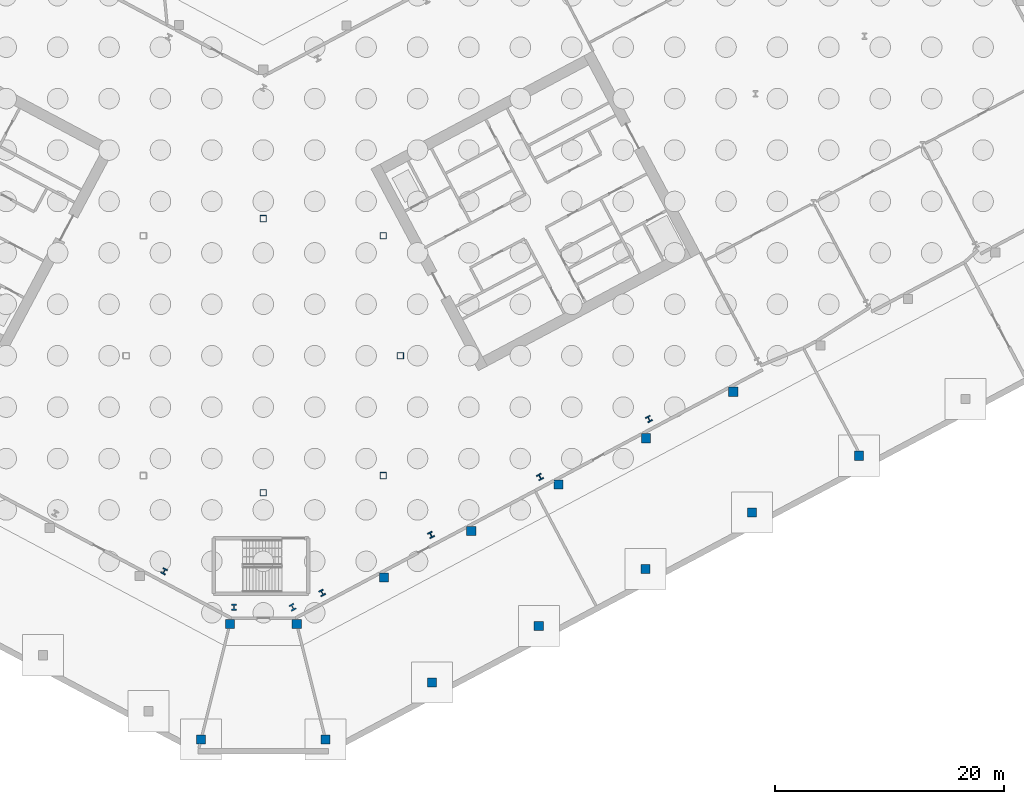
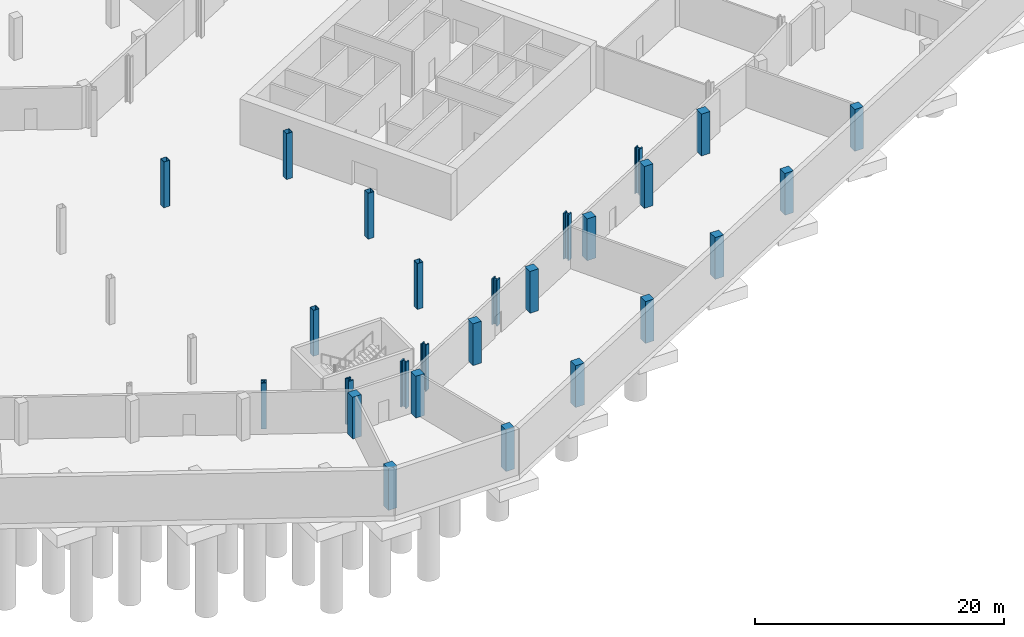
# One storey, part 4 of 29: 26 columns.
"""IFC4 building model written with IfcOpenShell, lengths in metres."""

from ifc_helpers import new_model, si_unit, direction, frame, origin, origin_2d, place, context, subcontext, project, spatial, rectangle, hollow_rectangle, i_section, extrude, material, material_profile, profile_set, type_object, element, save


model = new_model("IFC4")

# Units and contexts
model_context = context("Model", 3, precision=1e-05, world=origin(), true_north=direction((0.0, 1.0)))
body_context = subcontext(model_context, "Body", "Model", "MODEL_VIEW")
ifc_project = project(units=[si_unit("LENGTHUNIT", "METRE"), si_unit("AREAUNIT", "SQUARE_METRE"), si_unit("VOLUMEUNIT", "CUBIC_METRE"), si_unit("PLANEANGLEUNIT", "RADIAN"), si_unit("MASSUNIT", "GRAM", prefix="KILO")], contexts=[model_context])

# Site, building, storey
site_placement = place(None, origin())
site = spatial("IfcSite", under=ifc_project, at=site_placement, CompositionType="ELEMENT")
building_placement = place(site_placement, origin())
building = spatial("IfcBuilding", under=site, at=building_placement, Name="Cormorant Relay Tower", CompositionType="ELEMENT")
storey_placement = place(building_placement, frame((0.0, 0.0, -9.0)))
storey = spatial("IfcBuildingStorey", under=building, at=storey_placement, Name="B2", CompositionType="ELEMENT", Elevation=-9.0)

# Columns
ifc_material_1 = material(Name="Concrete 50 MPa", Category="concrete")
ifc_material_profile_1 = material_profile(ifc_material_1, rectangle(XDim=0.800048828125, YDim=0.800048828125, at=origin_2d()), Name="RC 800x800")
ifc_profile_set_1 = profile_set([ifc_material_profile_1], Name="Concrete 50 MPa")
column_type_1 = type_object("IfcColumnType", Name="Base column 800 x 800", PredefinedType="COLUMN", material=ifc_profile_set_1)
for number, where, z_axis, x_axis, name in (
    (1, (-5.44091796875, -33.575927734375, 0.0), (0.0, 0.0, 1.0), (1.0, 0.0, 0.0), "Base column"),
    (2, (5.44091796875, -33.575927734375, 0.0), (0.0, 0.0, 1.0), (1.0, 0.0, 0.0), "Base column"),
    (3, (14.778076171875, -28.611083984375, 0.0), (0.0, 0.0, 1.0), (1.0, 0.0, 0.0), "Base column"),
    (4, (24.114990234375, -23.64697265625, 0.0), (0.0, 0.0, 1.0), (1.0, 0.0, 0.0), "Base column"),
    (5, (-2.923095703125, -23.47607421875, 0.0), (0.0, 0.0, 1.0), (1.0, 0.0, 0.0), "Base column"),
    (6, (2.923095703125, -23.47607421875, 0.0), (0.0, 0.0, 1.0), (1.0, 0.0, 0.0), "Base column"),
    (7, (10.56494140625, -19.412109375, 0.0), (0.0, 0.0, 1.0), (1.0, 0.0, 0.0), "Base column"),
    (8, (33.451904296875, -18.681884765625, 0.0), (0.0, 0.0, 1.0), (1.0, 0.0, 0.0), "Base column"),
    (9, (18.20703125, -15.34912109375, 0.0), (0.0, 0.0, 1.0), (1.0, 0.0, 0.0), "Base column"),
    (10, (42.7890625, -13.717041015625, 0.0), (0.0, 0.0, 1.0), (1.0, 0.0, 0.0), "Base column"),
    (11, (25.84912109375, -11.285888671875, 0.0), (0.0, 0.0, 1.0), (1.0, 0.0, 0.0), "Base column"),
    (12, (52.1259765625, -8.7529296875, 0.0), (0.0, 0.0, 1.0), (1.0, 0.0, 0.0), "Base column"),
    (13, (33.490966796875, -7.221923828125, 0.0), (0.0, 0.0, 1.0), (1.0, 0.0, 0.0), "Base column"),
    (14, (41.133056640625, -3.158935546875, 0.0), (0.0, 0.0, 1.0), (1.0, 0.0, 0.0), "Base column"),
):
    element("IfcColumn", number, at=place(storey_placement, frame(where, z_axis=z_axis, x_axis=x_axis)), inside=storey, type_object=column_type_1, Name=name, PredefinedType="COLUMN", context=body_context, shape_type="SweptSolid", body=[
        extrude(rectangle(XDim=0.800048828125, YDim=0.800048828125, at=origin_2d()), origin(), (0.0, 0.0, 1.0), 4.10009765625),
    ])
ifc_material_2 = material(Name="Steel ASTM A1085 Grade A (Fy 345 MPa)", Category="steel")
ifc_material_profile_2 = material_profile(ifc_material_2, hollow_rectangle(XDim=0.558837890625, YDim=0.558837890625, WallThickness=0.023681640625, InnerFilletRadius=0.01171875, OuterFilletRadius=0.035400390625, at=origin_2d()), Name="HSS559x559x24")
ifc_profile_set_2 = profile_set([ifc_material_profile_2], Name="Steel ASTM A1085 Grade A (Fy 345 MPa)")
column_type_2 = type_object("IfcColumnType", Name="Column HSS559x559x24", PredefinedType="COLUMN", material=ifc_profile_set_2)
for number, where, z_axis, x_axis, name in (
    (15, (0.0, -12.0, 0.0), (0.0, 0.0, 1.0), (1.0, 0.0, 0.0), "Column B2-007"),
    (16, (10.5, -10.5, 0.0), (0.0, 0.0, 1.0), (1.0, 0.0, 0.0), "Column B2-010"),
    (17, (12.0, 0.0, 0.0), (0.0, 0.0, 1.0), (1.0, 0.0, 0.0), "Column B2-016"),
    (18, (10.5, 10.5, 0.0), (0.0, 0.0, 1.0), (1.0, 0.0, 0.0), "Column B2-023"),
    (19, (0.0, 12.0, 0.0), (0.0, 0.0, 1.0), (1.0, 0.0, 0.0), "Column B2-024"),
):
    element("IfcColumn", number, at=place(storey_placement, frame(where, z_axis=z_axis, x_axis=x_axis)), inside=storey, type_object=column_type_2, Name=name, PredefinedType="COLUMN", context=body_context, shape_type="SweptSolid", body=[
        extrude(hollow_rectangle(XDim=0.558837890625, YDim=0.558837890625, WallThickness=0.023681640625, InnerFilletRadius=0.01171875, OuterFilletRadius=0.035400390625, at=origin_2d()), origin(), (0.0, 0.0, 1.0), 4.5),
    ])
ifc_material_3 = material(Name="Steel ASTM A992 (Fy 345 MPa)", Category="steel")
ifc_material_profile_3 = material_profile(ifc_material_3, i_section(OverallWidth=0.45458984375, OverallDepth=0.569091796875, WebThickness=0.077880859375, FlangeThickness=0.124755859375, FilletRadius=0.015380859375, at=origin_2d()), Name="W360x1086")
ifc_profile_set_3 = profile_set([ifc_material_profile_3], Name="Steel ASTM A992 (Fy 345 MPa)")
column_type_3 = type_object("IfcColumnType", Name="Column W360x1086", PredefinedType="COLUMN", material=ifc_profile_set_3)
for number, where, z_axis, x_axis, name in (
    (20, (-2.55908203125, -22.01708984375, 0.0), (0.0, 0.0, 1.0), (1.0, 0.0, 0.0), "Column B2-001"),
    (21, (2.55908203125, -22.01708984375, 0.0), (0.0, 0.0, 1.0), (0.882947592859, 0.469471562786, 0.0), "Column B2-002"),
):
    element("IfcColumn", number, at=place(storey_placement, frame(where, z_axis=z_axis, x_axis=x_axis)), inside=storey, type_object=column_type_3, Name=name, PredefinedType="COLUMN", context=body_context, shape_type="SweptSolid", body=[
        extrude(i_section(OverallWidth=0.45458984375, OverallDepth=0.569091796875, WebThickness=0.077880859375, FlangeThickness=0.124755859375, FilletRadius=0.015380859375, at=origin_2d()), origin(), (0.0, 0.0, 1.0), 4.5),
    ])
ifc_material_4 = material(Name="Steel ASTM A992 (Fy 345 MPa)", Category="steel")
ifc_material_profile_4 = material_profile(ifc_material_4, i_section(OverallWidth=0.43701171875, OverallDepth=0.51318359375, WebThickness=0.060546875, FlangeThickness=0.096923828125, FilletRadius=0.015380859375, at=origin_2d()), Name="W360x818")
ifc_profile_set_4 = profile_set([ifc_material_profile_4], Name="Steel ASTM A992 (Fy 345 MPa)")
column_type_4 = type_object("IfcColumnType", Name="Column W360x818", PredefinedType="COLUMN", material=ifc_profile_set_4)
for number, where, z_axis, x_axis, name in (
    (22, (5.14599609375, -20.75390625, 0.0), (0.0, 0.0, 1.0), (0.882947592859, 0.469471562786, 0.0), "Column B2-003"),
    (23, (-8.677001953125, -18.8759765625, 0.0), (0.0, 0.0, 1.0), (0.882947592859, -0.469471562786, 0.0), "Column B2-004"),
    (24, (14.680908203125, -15.68310546875, 0.0), (0.0, 0.0, 1.0), (0.882947592859, 0.469471562786, 0.0), "Column B2-005"),
    (25, (24.217041015625, -10.613037109375, 0.0), (0.0, 0.0, 1.0), (0.882947592859, 0.469471562786, 0.0), "Column B2-008"),
    (26, (33.7529296875, -5.54296875, 0.0), (0.0, 0.0, 1.0), (0.882947592859, 0.469471562786, 0.0), "Column B2-012"),
):
    element("IfcColumn", number, at=place(storey_placement, frame(where, z_axis=z_axis, x_axis=x_axis)), inside=storey, type_object=column_type_4, Name=name, PredefinedType="COLUMN", context=body_context, shape_type="SweptSolid", body=[
        extrude(i_section(OverallWidth=0.43701171875, OverallDepth=0.51318359375, WebThickness=0.060546875, FlangeThickness=0.096923828125, FilletRadius=0.015380859375, at=origin_2d()), origin(), (0.0, 0.0, 1.0), 4.5),
    ])

save(model, "model.ifc")
